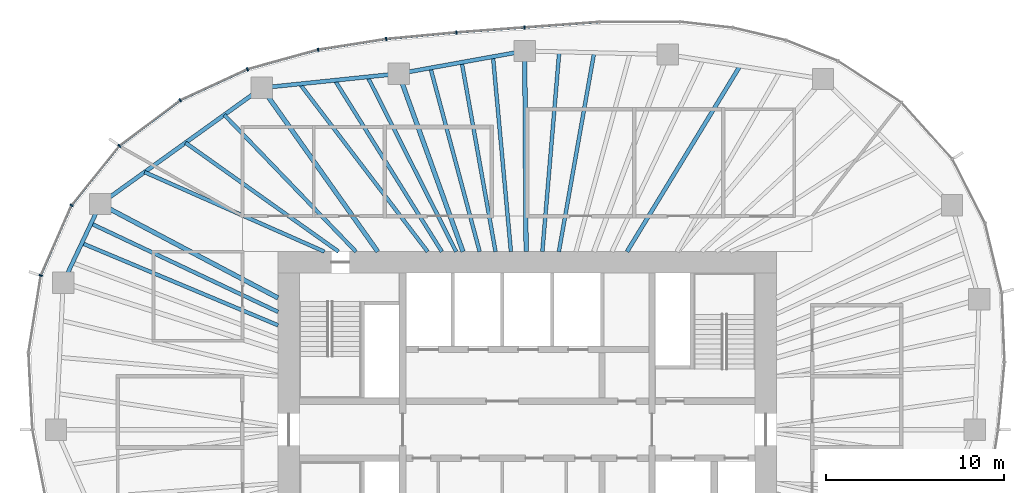
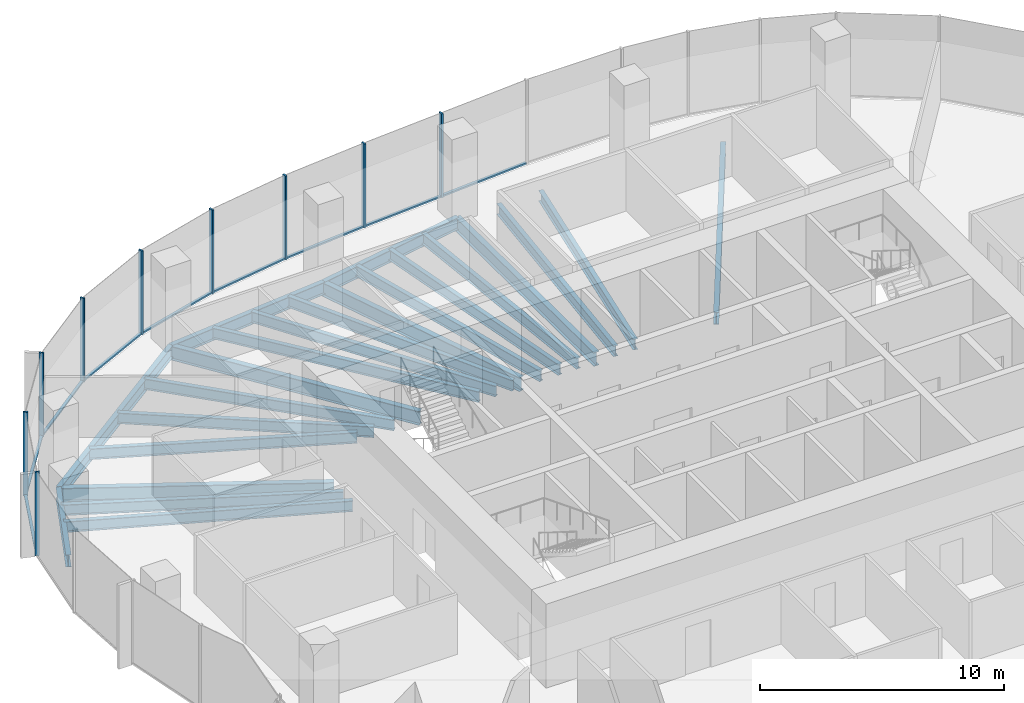
# One storey, part 5 of 12: 22 beams, 18 members, 6 elements without a shape of their own.
"""IFC4 building model written with IfcOpenShell, lengths in metres."""

from ifc_helpers import new_model, si_unit, direction, frame, origin, origin_2d, place, context, subcontext, project, spatial, rectangle, i_section, extrude, material, material_profile, profile_set, type_object, element, aggregate, save


model = new_model("IFC4")

# Units and contexts
model_context = context("Model", 3, precision=1e-05, world=origin(), true_north=direction((0.0, 1.0)))
body_context = subcontext(model_context, "Body", "Model", "MODEL_VIEW")
ifc_project = project(units=[si_unit("LENGTHUNIT", "METRE"), si_unit("AREAUNIT", "SQUARE_METRE"), si_unit("VOLUMEUNIT", "CUBIC_METRE"), si_unit("PLANEANGLEUNIT", "RADIAN"), si_unit("MASSUNIT", "GRAM", prefix="KILO")], contexts=[model_context])

# Site, building, storey
site_placement = place(None, origin())
site = spatial("IfcSite", under=ifc_project, at=site_placement, CompositionType="ELEMENT")
building_placement = place(site_placement, origin())
building = spatial("IfcBuilding", under=site, at=building_placement, Name="Ghaith Harvest Tower", CompositionType="ELEMENT")
storey_placement = place(building_placement, frame((0.0, 0.0, 236.800048828125)))
storey = spatial("IfcBuildingStorey", under=building, at=storey_placement, Name="L52", CompositionType="ELEMENT", Elevation=236.800048828125)

# Curtain wall, members
ifc_material_1 = material(Name="Black anodised aluminium and fritted glass", Category="aluminium")
curtain_wall_type = type_object("IfcCurtainWallType", Name="CW-H CURTAIN WALL", PredefinedType="NOTDEFINED", material=ifc_material_1)
curtain_wall_1_placement = place(storey_placement, origin())
curtain_wall_1 = element("IfcCurtainWall", 1, at=curtain_wall_1_placement, inside=storey, type_object=curtain_wall_type, Name="Curtain wall CW-H bay 06 L52", PredefinedType="NOTDEFINED")
ifc_material_2 = material(Name="Aluminium, black anodised", Category="aluminium")
ifc_material_profile_1 = material_profile(ifc_material_2, rectangle(XDim=0.080078125, YDim=0.199951171875, at=origin_2d()), Name="CW-H MULLION 80x200")
ifc_profile_set_1 = profile_set([ifc_material_profile_1], Name="Aluminium, black anodised")
member_type_1 = type_object("IfcMemberType", Name="CW-H MULLION 80x200", PredefinedType="MULLION", material=ifc_profile_set_1)
member_1_placement = place(storey_placement, frame((-0.154541015625, 22.590576171875, 0.0), z_axis=(0.0, 0.0, 1.0), x_axis=(-0.997329249665, -0.073036756239, 0.0)))
member_1 = element("IfcMember", 2, at=member_1_placement, type_object=member_type_1, Name="CW-H mullion 1 bay 06 L52", PredefinedType="MULLION", context=body_context, shape_type="SweptSolid", body=[
    extrude(rectangle(XDim=0.080078125, YDim=0.199951171875, at=origin_2d()), origin(), (0.0, 0.0, 1.0), 4.199951171875),
])
member_2_placement = place(storey_placement, frame((-3.984375, 22.310302734375, 0.0), z_axis=(0.0, 0.0, 1.0), x_axis=(-0.996522526822, -0.083323787336, 0.0)))
member_2 = element("IfcMember", 3, at=member_2_placement, type_object=member_type_1, Name="CW-H mullion 2 bay 06 L52", PredefinedType="MULLION", context=body_context, shape_type="SweptSolid", body=[
    extrude(rectangle(XDim=0.080078125, YDim=0.199951171875, at=origin_2d()), origin(), (0.0, 0.0, 1.0), 4.199951171875),
])

curtain_wall_2_placement = place(storey_placement, origin())
curtain_wall_2 = element("IfcCurtainWall", 4, at=curtain_wall_2_placement, inside=storey, type_object=curtain_wall_type, Name="Curtain wall CW-H bay 07 L52", PredefinedType="NOTDEFINED")
member_3_placement = place(storey_placement, frame((-7.924560546875, 21.94091796875, 0.0), z_axis=(0.0, 0.0, 1.0), x_axis=(-0.992235485325, -0.124373396119, 0.0)))
member_3 = element("IfcMember", 5, at=member_3_placement, type_object=member_type_1, Name="CW-H mullion 1 bay 07 L52", PredefinedType="MULLION", context=body_context, shape_type="SweptSolid", body=[
    extrude(rectangle(XDim=0.080078125, YDim=0.199951171875, at=origin_2d()), origin(), (0.0, 0.0, 1.0), 4.199951171875),
])
member_4_placement = place(storey_placement, frame((-11.75244140625, 21.336669921875, 0.0), z_axis=(0.0, 0.0, 1.0), x_axis=(-0.977086484172, -0.212842670646, 0.0)))
member_4 = element("IfcMember", 6, at=member_4_placement, type_object=member_type_1, Name="CW-H mullion 2 bay 07 L52", PredefinedType="MULLION", context=body_context, shape_type="SweptSolid", body=[
    extrude(rectangle(XDim=0.080078125, YDim=0.199951171875, at=origin_2d()), origin(), (0.0, 0.0, 1.0), 4.199951171875),
])

curtain_wall_3_placement = place(storey_placement, origin())
curtain_wall_3 = element("IfcCurtainWall", 7, at=curtain_wall_3_placement, inside=storey, type_object=curtain_wall_type, Name="Curtain wall CW-H bay 08 L52", PredefinedType="NOTDEFINED")
member_5_placement = place(storey_placement, frame((-15.720947265625, 20.242431640625, 0.0), z_axis=(0.0, 0.0, 1.0), x_axis=(-0.938930986476, -0.344105510906, 0.0)))
member_5 = element("IfcMember", 8, at=member_5_placement, type_object=member_type_1, Name="CW-H mullion 1 bay 08 L52", PredefinedType="MULLION", context=body_context, shape_type="SweptSolid", body=[
    extrude(rectangle(XDim=0.080078125, YDim=0.199951171875, at=origin_2d()), origin(), (0.0, 0.0, 1.0), 4.199951171875),
])
member_6_placement = place(storey_placement, frame((-19.4951171875, 18.4990234375, 0.0), z_axis=(0.0, 0.0, 1.0), x_axis=(-0.857998754004, -0.513651767376, 0.0)))
member_6 = element("IfcMember", 9, at=member_6_placement, type_object=member_type_1, Name="CW-H mullion 2 bay 08 L52", PredefinedType="MULLION", context=body_context, shape_type="SweptSolid", body=[
    extrude(rectangle(XDim=0.080078125, YDim=0.199951171875, at=origin_2d()), origin(), (0.0, 0.0, 1.0), 4.199951171875),
])

curtain_wall_4_placement = place(storey_placement, origin())
curtain_wall_4 = element("IfcCurtainWall", 10, at=curtain_wall_4_placement, inside=storey, type_object=curtain_wall_type, Name="Curtain wall CW-H bay 09 L52", PredefinedType="NOTDEFINED")
member_7_placement = place(storey_placement, frame((-22.908203125, 15.939697265625, 0.0), z_axis=(0.0, 0.0, 1.0), x_axis=(-0.719146135082, -0.694858860774, 0.0)))
member_7 = element("IfcMember", 11, at=member_7_placement, type_object=member_type_1, Name="CW-H mullion 1 bay 09 L52", PredefinedType="MULLION", context=body_context, shape_type="SweptSolid", body=[
    extrude(rectangle(XDim=0.080078125, YDim=0.199951171875, at=origin_2d()), origin(), (0.0, 0.0, 1.0), 4.199951171875),
])
member_8_placement = place(storey_placement, frame((-25.599609375, 12.6005859375, 0.0), z_axis=(0.0, 0.0, 1.0), x_axis=(-0.518769201232, -0.854914332464, 0.0)))
member_8 = element("IfcMember", 12, at=member_8_placement, type_object=member_type_1, Name="CW-H mullion 2 bay 09 L52", PredefinedType="MULLION", context=body_context, shape_type="SweptSolid", body=[
    extrude(rectangle(XDim=0.080078125, YDim=0.199951171875, at=origin_2d()), origin(), (0.0, 0.0, 1.0), 4.199951171875),
])

# Curtain wall, member
curtain_wall_5_placement = place(storey_placement, origin())
curtain_wall_5 = element("IfcCurtainWall", 13, at=curtain_wall_5_placement, inside=storey, type_object=curtain_wall_type, Name="Curtain wall CW-H bay 10 L52", PredefinedType="NOTDEFINED")
member_9_placement = place(storey_placement, frame((-27.32568359375, 8.659912109375, 0.0), z_axis=(0.0, 0.0, 1.0), x_axis=(-0.280520268431, -0.959848102045, 0.0)))
member_9 = element("IfcMember", 14, at=member_9_placement, type_object=member_type_1, Name="CW-H mullion 1 bay 10 L52", PredefinedType="MULLION", context=body_context, shape_type="SweptSolid", body=[
    extrude(rectangle(XDim=0.080078125, YDim=0.199951171875, at=origin_2d()), origin(), (0.0, 0.0, 1.0), 4.199951171875),
])
aggregate(curtain_wall_5, [member_9])

curtain_wall_6_placement = place(storey_placement, origin())
curtain_wall_6 = element("IfcCurtainWall", 15, at=curtain_wall_6_placement, inside=storey, type_object=curtain_wall_type, Name="Curtain wall CW-H bay 05 L52", PredefinedType="NOTDEFINED")
ifc_material_3 = material(Name="Aluminium, black anodised", Category="aluminium")
ifc_material_profile_2 = material_profile(ifc_material_3, rectangle(XDim=0.1298828125, YDim=0.080078125, at=origin_2d()), Name="CW-H TRANSOM 130x80")
ifc_profile_set_2 = profile_set([ifc_material_profile_2], Name="Aluminium, black anodised")
member_type_2 = type_object("IfcMemberType", Name="CW-H TRANSOM 130x80", PredefinedType="USERDEFINED", material=ifc_profile_set_2)
member_10_placement = place(storey_placement, frame((4.01953125, 22.896484375, 0.0400390625), z_axis=(-0.997325457985, -0.07308851384, 0.0), x_axis=(0.07308851384, -0.997325457985, 0.0)))
member_10 = element("IfcMember", 16, at=member_10_placement, type_object=member_type_2, Name="CW-H transom 2 bay 05 L52", ObjectType="TRANSOM", PredefinedType="USERDEFINED", context=body_context, shape_type="SweptSolid", body=[
    extrude(rectangle(XDim=0.1298828125, YDim=0.080078125, at=origin_2d()), origin(), (0.0, 0.0, 1.0), 4.145263671875),
])
aggregate(curtain_wall_6, [member_10])

# Member
member_11_placement = place(storey_placement, frame((-0.194580078125, 22.587646484375, 0.0400390625), z_axis=(-0.997332916649, -0.072986665689, 0.0), x_axis=(0.072986665689, -0.997332916649, 0.0)))
member_11 = element("IfcMember", 17, at=member_11_placement, type_object=member_type_2, Name="CW-H transom 1 bay 06 L52", ObjectType="TRANSOM", PredefinedType="USERDEFINED", context=body_context, shape_type="SweptSolid", body=[
    extrude(rectangle(XDim=0.1298828125, YDim=0.080078125, at=origin_2d()), origin(), (0.0, 0.0, 1.0), 3.759765625),
])

member_12_placement = place(storey_placement, frame((-4.024169921875, 22.306640625, 0.0400390625), z_axis=(-0.995631116984, -0.093373866217, 0.0), x_axis=(0.093373866217, -0.995631116984, 0.0)))
member_12 = element("IfcMember", 18, at=member_12_placement, type_object=member_type_2, Name="CW-H transom 2 bay 06 L52", ObjectType="TRANSOM", PredefinedType="USERDEFINED", context=body_context, shape_type="SweptSolid", body=[
    extrude(rectangle(XDim=0.1298828125, YDim=0.080078125, at=origin_2d()), origin(), (0.0, 0.0, 1.0), 3.87744140625),
])

aggregate(curtain_wall_1, [member_1, member_11, member_2, member_12])

member_13_placement = place(storey_placement, frame((-7.964111328125, 21.9345703125, 0.0400390625), z_axis=(-0.98776765914, -0.155932843097, 0.0), x_axis=(0.155932843097, -0.98776765914, 0.0)))
member_13 = element("IfcMember", 19, at=member_13_placement, type_object=member_type_2, Name="CW-H transom 1 bay 07 L52", ObjectType="TRANSOM", PredefinedType="USERDEFINED", context=body_context, shape_type="SweptSolid", body=[
    extrude(rectangle(XDim=0.1298828125, YDim=0.080078125, at=origin_2d()), origin(), (0.0, 0.0, 1.0), 3.795166015625),
])

member_14_placement = place(storey_placement, frame((-11.791015625, 21.325927734375, 0.0400390625), z_axis=(-0.964038584245, -0.265762315024, 0.0), x_axis=(0.265762315024, -0.964038584245, 0.0)))
member_14 = element("IfcMember", 20, at=member_14_placement, type_object=member_type_2, Name="CW-H transom 2 bay 07 L52", ObjectType="TRANSOM", PredefinedType="USERDEFINED", context=body_context, shape_type="SweptSolid", body=[
    extrude(rectangle(XDim=0.1298828125, YDim=0.080078125, at=origin_2d()), origin(), (0.0, 0.0, 1.0), 4.03662109375),
])

aggregate(curtain_wall_2, [member_3, member_13, member_4, member_14])

member_15_placement = place(storey_placement, frame((-15.75732421875, 20.2255859375, 0.0400390625), z_axis=(-0.907831404762, -0.419335355686, 0.0), x_axis=(0.419335355686, -0.907831404762, 0.0)))
member_15 = element("IfcMember", 21, at=member_15_placement, type_object=member_type_2, Name="CW-H transom 1 bay 08 L52", ObjectType="TRANSOM", PredefinedType="USERDEFINED", context=body_context, shape_type="SweptSolid", body=[
    extrude(rectangle(XDim=0.1298828125, YDim=0.080078125, at=origin_2d()), origin(), (0.0, 0.0, 1.0), 4.0771484375),
])

member_16_placement = place(storey_placement, frame((-19.527099609375, 18.47509765625, 0.0400390625), z_axis=(-0.800041988873, -0.599944010755, 0.0), x_axis=(0.599944010755, -0.800041988873, 0.0)))
member_16 = element("IfcMember", 22, at=member_16_placement, type_object=member_type_2, Name="CW-H transom 2 bay 08 L52", ObjectType="TRANSOM", PredefinedType="USERDEFINED", context=body_context, shape_type="SweptSolid", body=[
    extrude(rectangle(XDim=0.1298828125, YDim=0.080078125, at=origin_2d()), origin(), (0.0, 0.0, 1.0), 4.186279296875),
])

aggregate(curtain_wall_3, [member_5, member_15, member_6, member_16])

member_17_placement = place(storey_placement, frame((-22.933349609375, 15.90869140625, 0.0400390625), z_axis=(-0.6275347306, -0.778588570357, 0.0), x_axis=(0.778588570357, -0.6275347306, 0.0)))
member_17 = element("IfcMember", 23, at=member_17_placement, type_object=member_type_2, Name="CW-H transom 1 bay 09 L52", ObjectType="TRANSOM", PredefinedType="USERDEFINED", context=body_context, shape_type="SweptSolid", body=[
    extrude(rectangle(XDim=0.1298828125, YDim=0.080078125, at=origin_2d()), origin(), (0.0, 0.0, 1.0), 4.208740234375),
])

member_18_placement = place(storey_placement, frame((-25.61572265625, 12.56396484375, 0.0400390625), z_axis=(-0.401185844746, -0.915996680112, 0.0), x_axis=(0.915996680112, -0.401185844746, 0.0)))
member_18 = element("IfcMember", 24, at=member_18_placement, type_object=member_type_2, Name="CW-H transom 2 bay 09 L52", ObjectType="TRANSOM", PredefinedType="USERDEFINED", context=body_context, shape_type="SweptSolid", body=[
    extrude(rectangle(XDim=0.1298828125, YDim=0.080078125, at=origin_2d()), origin(), (0.0, 0.0, 1.0), 4.22216796875),
])

aggregate(curtain_wall_4, [member_7, member_17, member_8, member_18])

# Beams
ifc_material_4 = material(Name="Steel ASTM A992 Grade 50", Category="steel")
ifc_material_profile_3 = material_profile(ifc_material_4, i_section(OverallWidth=0.22900390625, OverallDepth=0.612060546875, WebThickness=0.011962890625, FlangeThickness=0.01953125, at=origin_2d()), Name="W610X125")
ifc_profile_set_3 = profile_set([ifc_material_profile_3], Name="Steel ASTM A992 Grade 50")
beam_type_1 = type_object("IfcBeamType", Name="E610-125 W610X125", PredefinedType="SPANDREL", material=ifc_profile_set_3)
beam_1_placement = place(storey_placement, frame((-0.14599609375, 21.27099609375, -0.47607421875), z_axis=(-0.984177047684, -0.177187863051, 0.0), x_axis=(0.177187863051, -0.984177047684, 0.0)))
element("IfcBeam", 25, at=beam_1_placement, inside=storey, type_object=beam_type_1, Name="Edge beam E06 L52", PredefinedType="SPANDREL", context=body_context, shape_type="SweptSolid", body=[
    extrude(i_section(OverallWidth=0.22900390625, OverallDepth=0.612060546875, WebThickness=0.011962890625, FlangeThickness=0.01953125, at=origin_2d()), origin(), (0.0, 0.0, 1.0), 7.189697265625),
])
beam_2_placement = place(storey_placement, frame((-7.221923828125, 19.9970703125, -0.47607421875), z_axis=(-0.994669141618, -0.103117887451, 0.0), x_axis=(0.103117887451, -0.994669141618, 0.0)))
element("IfcBeam", 26, at=beam_2_placement, inside=storey, type_object=beam_type_1, Name="Edge beam E07 L52", PredefinedType="SPANDREL", context=body_context, shape_type="SweptSolid", body=[
    extrude(i_section(OverallWidth=0.22900390625, OverallDepth=0.612060546875, WebThickness=0.011962890625, FlangeThickness=0.01953125, at=origin_2d()), origin(), (0.0, 0.0, 1.0), 7.730224609375),
])
beam_3_placement = place(storey_placement, frame((-14.910888671875, 19.199951171875, -0.47607421875), z_axis=(-0.812050311838, -0.583587432219, 0.0), x_axis=(0.583587432219, -0.812050311838, 0.0)))
element("IfcBeam", 27, at=beam_3_placement, inside=storey, type_object=beam_type_1, Name="Edge beam E08 L52", PredefinedType="SPANDREL", context=body_context, shape_type="SweptSolid", body=[
    extrude(i_section(OverallWidth=0.22900390625, OverallDepth=0.612060546875, WebThickness=0.011962890625, FlangeThickness=0.01953125, at=origin_2d()), origin(), (0.0, 0.0, 1.0), 11.175537109375),
])
beam_4_placement = place(storey_placement, frame((-23.986083984375, 12.677978515625, -0.47607421875), z_axis=(-0.426170247297, -0.904642979478, 0.0), x_axis=(0.904642979478, -0.426170247297, 0.0)))
element("IfcBeam", 28, at=beam_4_placement, inside=storey, type_object=beam_type_1, Name="Edge beam E09 L52", PredefinedType="SPANDREL", context=body_context, shape_type="SweptSolid", body=[
    extrude(i_section(OverallWidth=0.22900390625, OverallDepth=0.612060546875, WebThickness=0.011962890625, FlangeThickness=0.01953125, at=origin_2d()), origin(), (0.0, 0.0, 1.0), 4.882568359375),
])
ifc_material_5 = material(Name="Steel ASTM A992 Grade 50", Category="steel")
ifc_material_profile_4 = material_profile(ifc_material_5, i_section(OverallWidth=0.256103515625, OverallDepth=0.693115234375, WebThickness=0.014404296875, FlangeThickness=0.023681640625, at=origin_2d()), Name="W690X170")
ifc_profile_set_4 = profile_set([ifc_material_profile_4], Name="Steel ASTM A992 Grade 50")
beam_type_2 = type_object("IfcBeamType", Name="G690-170 W690X170", PredefinedType="BEAM", material=ifc_profile_set_4)
beam_5_placement = place(storey_placement, frame((-0.068359375, 10.0, -0.5166015625), z_axis=(-0.006888022705, 0.99997627729, 0.0), x_axis=(-0.99997627729, -0.006888022705, 0.0)))
element("IfcBeam", 29, at=beam_5_placement, inside=storey, type_object=beam_type_2, Name="Radial girder G06 L52", PredefinedType="BEAM", context=body_context, shape_type="SweptSolid", body=[
    extrude(i_section(OverallWidth=0.256103515625, OverallDepth=0.693115234375, WebThickness=0.014404296875, FlangeThickness=0.023681640625, at=origin_2d()), origin(), (0.0, 0.0, 1.0), 11.271240234375),
])
beam_6_placement = place(storey_placement, frame((-3.61181640625, 10.0, -0.5166015625), z_axis=(-0.339648979266, 0.940552269086, 0.0), x_axis=(-0.940552269086, -0.339648979266, 0.0)))
element("IfcBeam", 30, at=beam_6_placement, inside=storey, type_object=beam_type_2, Name="Radial girder G07 L52", PredefinedType="BEAM", context=body_context, shape_type="SweptSolid", body=[
    extrude(i_section(OverallWidth=0.256103515625, OverallDepth=0.693115234375, WebThickness=0.014404296875, FlangeThickness=0.023681640625, at=origin_2d()), origin(), (0.0, 0.0, 1.0), 10.62890625),
])
beam_7_placement = place(storey_placement, frame((-8.39990234375, 10.0, -0.5166015625), z_axis=(-0.577683734365, 0.816260683268, 0.0), x_axis=(-0.816260683268, -0.577683734365, 0.0)))
element("IfcBeam", 31, at=beam_7_placement, inside=storey, type_object=beam_type_2, Name="Radial girder G08 L52", PredefinedType="BEAM", context=body_context, shape_type="SweptSolid", body=[
    extrude(i_section(OverallWidth=0.256103515625, OverallDepth=0.693115234375, WebThickness=0.014404296875, FlangeThickness=0.023681640625, at=origin_2d()), origin(), (0.0, 0.0, 1.0), 11.270751953125),
])
beam_8_placement = place(storey_placement, frame((-14.0, 7.39990234375, -0.5166015625), z_axis=(-0.884105273337, 0.467287776062, 0.0), x_axis=(-0.467287776062, -0.884105273337, 0.0)))
element("IfcBeam", 32, at=beam_8_placement, inside=storey, type_object=beam_type_2, Name="Radial girder G09 L52", PredefinedType="BEAM", context=body_context, shape_type="SweptSolid", body=[
    extrude(i_section(OverallWidth=0.256103515625, OverallDepth=0.693115234375, WebThickness=0.014404296875, FlangeThickness=0.023681640625, at=origin_2d()), origin(), (0.0, 0.0, 1.0), 11.295166015625),
])
ifc_material_6 = material(Name="Steel ASTM A992 Grade 50", Category="steel")
ifc_material_profile_5 = material_profile(ifc_material_6, i_section(OverallWidth=0.2109375, OverallDepth=0.5390625, WebThickness=0.01171875, FlangeThickness=0.018798828125, at=origin_2d()), Name="W530X109")
ifc_profile_set_5 = profile_set([ifc_material_profile_5], Name="Steel ASTM A992 Grade 50")
beam_type_3 = type_object("IfcBeamType", Name="J530-109 W530X109", PredefinedType="JOIST", material=ifc_profile_set_5)
beam_9_placement = place(storey_placement, frame((1.772705078125, 10.0, -0.439453125), z_axis=(0.17455599258, 0.984647249249, 0.0), x_axis=(-0.984647249249, 0.17455599258, 0.0)))
element("IfcBeam", 33, at=beam_9_placement, inside=storey, type_object=beam_type_3, Name="Joist J05.2 L52", PredefinedType="JOIST", context=body_context, shape_type="SweptSolid", body=[
    extrude(i_section(OverallWidth=0.2109375, OverallDepth=0.5390625, WebThickness=0.01171875, FlangeThickness=0.018798828125, at=origin_2d()), origin(), (0.0, 0.0, 1.0), 11.3486328125),
])
beam_10_placement = place(storey_placement, frame((0.844970703125, 10.0, -0.439453125), z_axis=(0.084213263804, 0.996447753873, 0.0), x_axis=(-0.996447753873, 0.084213263804, 0.0)))
element("IfcBeam", 34, at=beam_10_placement, inside=storey, type_object=beam_type_3, Name="Joist J05.3 L52", PredefinedType="JOIST", context=body_context, shape_type="SweptSolid", body=[
    extrude(i_section(OverallWidth=0.2109375, OverallDepth=0.5390625, WebThickness=0.01171875, FlangeThickness=0.018798828125, at=origin_2d()), origin(), (0.0, 0.0, 1.0), 11.262939453125),
])
beam_11_placement = place(storey_placement, frame((-0.92041015625, 10.0, -0.439453125), z_axis=(-0.091648687045, 0.995791402937, 0.0), x_axis=(-0.995791402937, -0.091648687045, 0.0)))
element("IfcBeam", 35, at=beam_11_placement, inside=storey, type_object=beam_type_3, Name="Joist J06.1 L52", PredefinedType="JOIST", context=body_context, shape_type="SweptSolid", body=[
    extrude(i_section(OverallWidth=0.2109375, OverallDepth=0.5390625, WebThickness=0.01171875, FlangeThickness=0.018798828125, at=origin_2d()), origin(), (0.0, 0.0, 1.0), 10.99658203125),
])
beam_12_placement = place(storey_placement, frame((-1.785888671875, 10.0, -0.439453125), z_axis=(-0.175793767479, 0.984427016754, 0.0), x_axis=(-0.984427016754, -0.175793767479, 0.0)))
element("IfcBeam", 36, at=beam_12_placement, inside=storey, type_object=beam_type_3, Name="Joist J06.2 L52", PredefinedType="JOIST", context=body_context, shape_type="SweptSolid", body=[
    extrude(i_section(OverallWidth=0.2109375, OverallDepth=0.5390625, WebThickness=0.01171875, FlangeThickness=0.018798828125, at=origin_2d()), origin(), (0.0, 0.0, 1.0), 10.802001953125),
])
beam_13_placement = place(storey_placement, frame((-2.677978515625, 10.0, -0.439453125), z_axis=(-0.258674007994, 0.965964677195, 0.0), x_axis=(-0.965964677195, -0.258674007994, 0.0)))
element("IfcBeam", 37, at=beam_13_placement, inside=storey, type_object=beam_type_3, Name="Joist J06.3 L52", PredefinedType="JOIST", context=body_context, shape_type="SweptSolid", body=[
    extrude(i_section(OverallWidth=0.2109375, OverallDepth=0.5390625, WebThickness=0.01171875, FlangeThickness=0.018798828125, at=origin_2d()), origin(), (0.0, 0.0, 1.0), 10.68115234375),
])
beam_14_placement = place(storey_placement, frame((-4.0, 10.0, -0.439453125), z_axis=(-0.451646219201, 0.892197115374, 0.0), x_axis=(-0.892197115374, -0.451646219201, 0.0)))
element("IfcBeam", 38, at=beam_14_placement, inside=storey, type_object=beam_type_3, Name="Joist J07.1 L52", PredefinedType="JOIST", context=body_context, shape_type="SweptSolid", body=[
    extrude(i_section(OverallWidth=0.2109375, OverallDepth=0.5390625, WebThickness=0.01171875, FlangeThickness=0.018798828125, at=origin_2d()), origin(), (0.0, 0.0, 1.0), 11.001953125),
])
beam_15_placement = place(storey_placement, frame((-4.800048828125, 10.0, -0.439453125), z_axis=(-0.529627564093, 0.848230300893, 0.0), x_axis=(-0.848230300893, -0.529627564093, 0.0)))
element("IfcBeam", 39, at=beam_15_placement, inside=storey, type_object=beam_type_3, Name="Joist J07.2 L52", PredefinedType="JOIST", context=body_context, shape_type="SweptSolid", body=[
    extrude(i_section(OverallWidth=0.2109375, OverallDepth=0.5390625, WebThickness=0.01171875, FlangeThickness=0.018798828125, at=origin_2d()), origin(), (0.0, 0.0, 1.0), 11.34716796875),
])
beam_16_placement = place(storey_placement, frame((-5.60009765625, 10.0, -0.439453125), z_axis=(-0.605976135502, 0.795482823952, 0.0), x_axis=(-0.795482823952, -0.605976135502, 0.0)))
element("IfcBeam", 40, at=beam_16_placement, inside=storey, type_object=beam_type_3, Name="Joist J07.3 L52", PredefinedType="JOIST", context=body_context, shape_type="SweptSolid", body=[
    extrude(i_section(OverallWidth=0.2109375, OverallDepth=0.5390625, WebThickness=0.01171875, FlangeThickness=0.018798828125, at=origin_2d()), origin(), (0.0, 0.0, 1.0), 11.84326171875),
])
beam_17_placement = place(storey_placement, frame((-9.626708984375, 10.0, -0.439453125), z_axis=(-0.69354049188, 0.720417647009, 0.0), x_axis=(-0.720417647009, -0.69354049188, 0.0)))
element("IfcBeam", 41, at=beam_17_placement, inside=storey, type_object=beam_type_3, Name="Joist J08.1 L52", PredefinedType="JOIST", context=body_context, shape_type="SweptSolid", body=[
    extrude(i_section(OverallWidth=0.2109375, OverallDepth=0.5390625, WebThickness=0.01171875, FlangeThickness=0.018798828125, at=origin_2d()), origin(), (0.0, 0.0, 1.0), 10.6640625),
])
beam_18_placement = place(storey_placement, frame((-10.60009765625, 10.0, -0.439453125), z_axis=(-0.814837070547, 0.579690045164, 0.0), x_axis=(-0.579690045164, -0.814837070547, 0.0)))
element("IfcBeam", 42, at=beam_18_placement, inside=storey, type_object=beam_type_3, Name="Joist J08.2 L52", PredefinedType="JOIST", context=body_context, shape_type="SweptSolid", body=[
    extrude(i_section(OverallWidth=0.2109375, OverallDepth=0.5390625, WebThickness=0.01171875, FlangeThickness=0.018798828125, at=origin_2d()), origin(), (0.0, 0.0, 1.0), 10.5537109375),
])
beam_19_placement = place(storey_placement, frame((-11.39990234375, 10.0, -0.439453125), z_axis=(-0.914561290029, 0.40444733499, 0.0), x_axis=(-0.40444733499, -0.914561290029, 0.0)))
element("IfcBeam", 43, at=beam_19_placement, inside=storey, type_object=beam_type_3, Name="Joist J08.3 L52", PredefinedType="JOIST", context=body_context, shape_type="SweptSolid", body=[
    extrude(i_section(OverallWidth=0.2109375, OverallDepth=0.5390625, WebThickness=0.01171875, FlangeThickness=0.018798828125, at=origin_2d()), origin(), (0.0, 0.0, 1.0), 11.041748046875),
])
beam_20_placement = place(storey_placement, frame((-14.0, 6.614990234375, -0.439453125), z_axis=(-0.904154184779, 0.427206285238, 0.0), x_axis=(-0.427206285238, -0.904154184779, 0.0)))
element("IfcBeam", 44, at=beam_20_placement, inside=storey, type_object=beam_type_3, Name="Joist J09.1 L52", PredefinedType="JOIST", context=body_context, shape_type="SweptSolid", body=[
    extrude(i_section(OverallWidth=0.2109375, OverallDepth=0.5390625, WebThickness=0.01171875, FlangeThickness=0.018798828125, at=origin_2d()), origin(), (0.0, 0.0, 1.0), 11.61767578125),
])
beam_21_placement = place(storey_placement, frame((-14.0, 5.862548828125, -0.439453125), z_axis=(-0.922380898158, 0.386281605455, 0.0), x_axis=(-0.386281605455, -0.922380898158, 0.0)))
element("IfcBeam", 45, at=beam_21_placement, inside=storey, type_object=beam_type_3, Name="Joist J09.2 L52", PredefinedType="JOIST", context=body_context, shape_type="SweptSolid", body=[
    extrude(i_section(OverallWidth=0.2109375, OverallDepth=0.5390625, WebThickness=0.01171875, FlangeThickness=0.018798828125, at=origin_2d()), origin(), (0.0, 0.0, 1.0), 11.94970703125),
])
ifc_material_7 = material(Name="Steel ASTM A992 Grade 50", Category="steel")
ifc_material_profile_6 = material_profile(ifc_material_7, i_section(OverallWidth=0.22900390625, OverallDepth=0.612060546875, WebThickness=0.011962890625, FlangeThickness=0.01953125, at=origin_2d()), Name="W610X125")
ifc_profile_set_6 = profile_set([ifc_material_profile_6], Name="Steel ASTM A992 Grade 50")
beam_type_4 = type_object("IfcBeamType", Name="J610-125 W610X125", PredefinedType="JOIST", material=ifc_profile_set_6)
beam_22_placement = place(storey_placement, frame((5.60009765625, 10.0, -0.47607421875), z_axis=(0.519863845761, 0.854249133374, 0.0), x_axis=(-0.854249133374, 0.519863845761, 0.0)))
element("IfcBeam", 46, at=beam_22_placement, inside=storey, type_object=beam_type_4, Name="Joist J04.2 L52", PredefinedType="JOIST", context=body_context, shape_type="SweptSolid", body=[
    extrude(i_section(OverallWidth=0.22900390625, OverallDepth=0.612060546875, WebThickness=0.011962890625, FlangeThickness=0.01953125, at=origin_2d()), origin(), (0.0, 0.0, 1.0), 12.209716796875),
])

save(model, "model.ifc")
